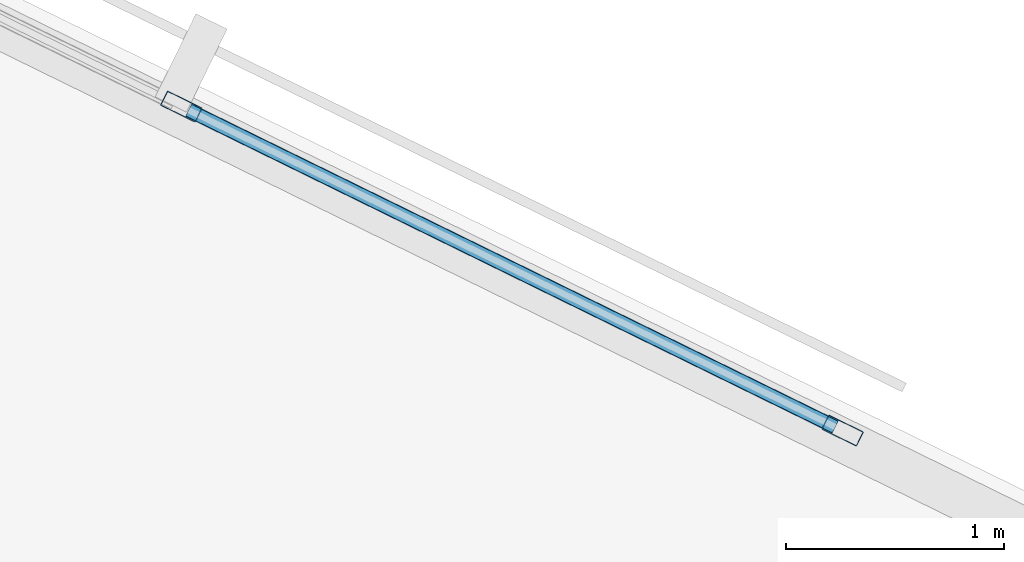
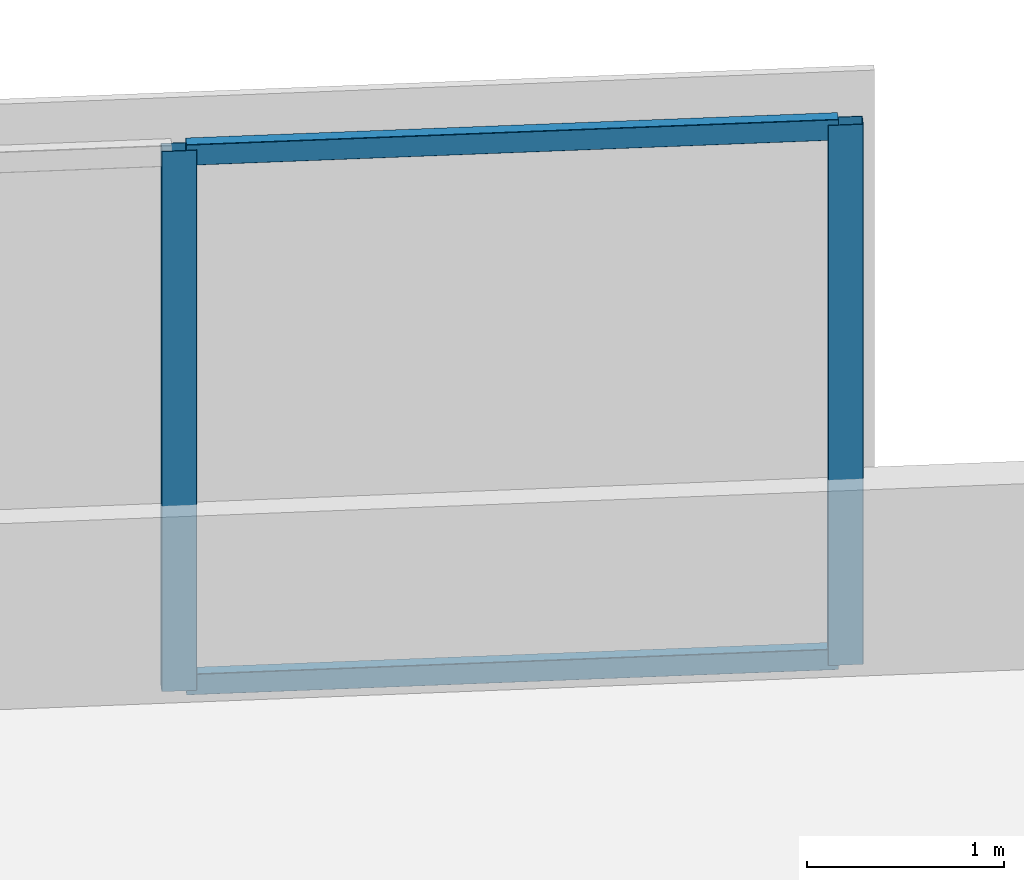
# One storey, part 2 of 18: 4 members, 1 element without a shape of its own.
"""IFC4 building model written with IfcOpenShell, lengths in metres."""

from ifc_helpers import new_model, si_unit, direction, frame, origin, origin_2d, place, context, subcontext, project, spatial, hollow_rectangle, extrude, material, material_profile, profile_set, type_object, element, aggregate, save


model = new_model("IFC4")

# Units and contexts
model_context = context("Model", 3, precision=1e-05, world=origin(), true_north=direction((0.0, 1.0)))
body_context = subcontext(model_context, "Body", "Model", "MODEL_VIEW")
ifc_project = project(units=[si_unit("LENGTHUNIT", "METRE"), si_unit("AREAUNIT", "SQUARE_METRE"), si_unit("VOLUMEUNIT", "CUBIC_METRE"), si_unit("PLANEANGLEUNIT", "RADIAN"), si_unit("MASSUNIT", "GRAM", prefix="KILO")], contexts=[model_context])

# Site, building, storey
site_placement = place(None, origin())
site = spatial("IfcSite", under=ifc_project, at=site_placement, CompositionType="ELEMENT")
building_placement = place(site_placement, origin())
building = spatial("IfcBuilding", under=site, at=building_placement, Name="Narakoshi Arena Tower", CompositionType="ELEMENT")
storey_placement = place(building_placement, frame((0.0, 0.0, 95.699951171875)))
storey = spatial("IfcBuildingStorey", under=building, at=storey_placement, Name="L25", CompositionType="ELEMENT", Elevation=95.699951171875)

# Curtain wall, members
ifc_material = material(Name="Anodised bronze aluminium 6063-T6", Category="aluminium")
curtain_wall_type = type_object("IfcCurtainWallType", Name="CW-HYP-LOW", PredefinedType="NOTDEFINED", material=ifc_material)
curtain_wall_placement = place(storey_placement, origin())
curtain_wall = element("IfcCurtainWall", 1, at=curtain_wall_placement, inside=storey, type_object=curtain_wall_type, Name="L25 Folded Hypotenuse Curtain Wall 2-1", PredefinedType="NOTDEFINED")
ifc_material_profile_1 = material_profile(ifc_material, hollow_rectangle(XDim=0.074951171875, YDim=0.179931640625, WallThickness=0.00390625, OuterFilletRadius=0.0048828125, at=origin_2d()), Name="MUL180x75x4")
ifc_profile_set_1 = profile_set([ifc_material_profile_1], Name="Anodised bronze aluminium 6063-T6")
member_type_1 = type_object("IfcMemberType", Name="MEM-MUL-180", PredefinedType="MULLION", material=ifc_profile_set_1)
member_1_placement = place(storey_placement, frame((87.598876953125, 62.51513671875, 0.0), z_axis=(0.0, 0.0, 1.0), x_axis=(-0.440004510198, -0.89799556291, 0.0)))
member_1 = element("IfcMember", 2, at=member_1_placement, type_object=member_type_1, Name="CW-01 mullion 1", PredefinedType="MULLION", context=body_context, shape_type="SweptSolid", body=[
    extrude(hollow_rectangle(XDim=0.074951171875, YDim=0.179931640625, WallThickness=0.00390625, OuterFilletRadius=0.0048828125, at=origin_2d()), origin(), (0.0, 0.0, 1.0), 3.340087890625),
])
member_2_placement = place(storey_placement, frame((84.559326171875, 64.00439453125, 0.0), z_axis=(0.0, 0.0, 1.0), x_axis=(-0.440004510198, -0.89799556291, 0.0)))
member_2 = element("IfcMember", 3, at=member_2_placement, type_object=member_type_1, Name="CW-01 mullion 2", PredefinedType="MULLION", context=body_context, shape_type="SweptSolid", body=[
    extrude(hollow_rectangle(XDim=0.074951171875, YDim=0.179931640625, WallThickness=0.00390625, OuterFilletRadius=0.0048828125, at=origin_2d()), origin(), (0.0, 0.0, 1.0), 3.340087890625),
])
ifc_material_profile_2 = material_profile(ifc_material, hollow_rectangle(XDim=0.06494140625, YDim=0.1298828125, WallThickness=0.00390625, OuterFilletRadius=0.0048828125, at=origin_2d()), Name="TRN130x65x4")
ifc_profile_set_2 = profile_set([ifc_material_profile_2], Name="Anodised bronze aluminium 6063-T6")
member_type_2 = type_object("IfcMemberType", Name="MEM-TRN-130", PredefinedType="USERDEFINED", material=ifc_profile_set_2)
member_3_placement = place(storey_placement, frame((87.565185546875, 62.531494140625, 0.032470703125), z_axis=(-0.897968733038, 0.44005926247, 0.0), x_axis=(-0.44005926247, -0.897968733038, 0.0)))
member_3 = element("IfcMember", 4, at=member_3_placement, type_object=member_type_2, Name="CW-01 transom 1.1", ObjectType="TRANSOM", PredefinedType="USERDEFINED", context=body_context, shape_type="SweptSolid", body=[
    extrude(hollow_rectangle(XDim=0.06494140625, YDim=0.1298828125, WallThickness=0.00390625, OuterFilletRadius=0.0048828125, at=origin_2d()), origin(), (0.0, 0.0, 1.0), 3.309814453125),
])
member_4_placement = place(storey_placement, frame((87.565185546875, 62.531494140625, 3.3076171875), z_axis=(-0.897968733038, 0.44005926247, 0.0), x_axis=(-0.44005926247, -0.897968733038, 0.0)))
member_4 = element("IfcMember", 5, at=member_4_placement, type_object=member_type_2, Name="CW-01 transom 1.2", ObjectType="TRANSOM", PredefinedType="USERDEFINED", context=body_context, shape_type="SweptSolid", body=[
    extrude(hollow_rectangle(XDim=0.06494140625, YDim=0.1298828125, WallThickness=0.00390625, OuterFilletRadius=0.0048828125, at=origin_2d()), origin(), (0.0, 0.0, 1.0), 3.309814453125),
])
aggregate(curtain_wall, [member_1, member_2, member_3, member_4])

save(model, "model.ifc")
